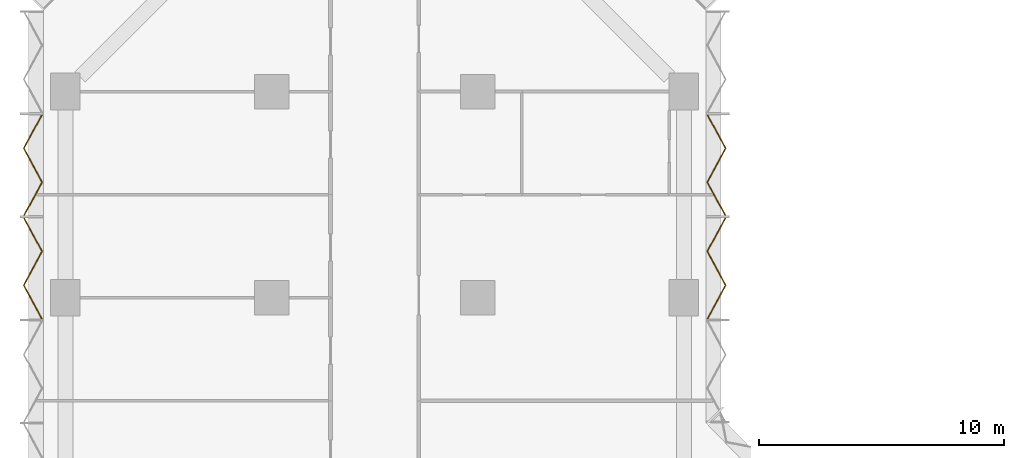
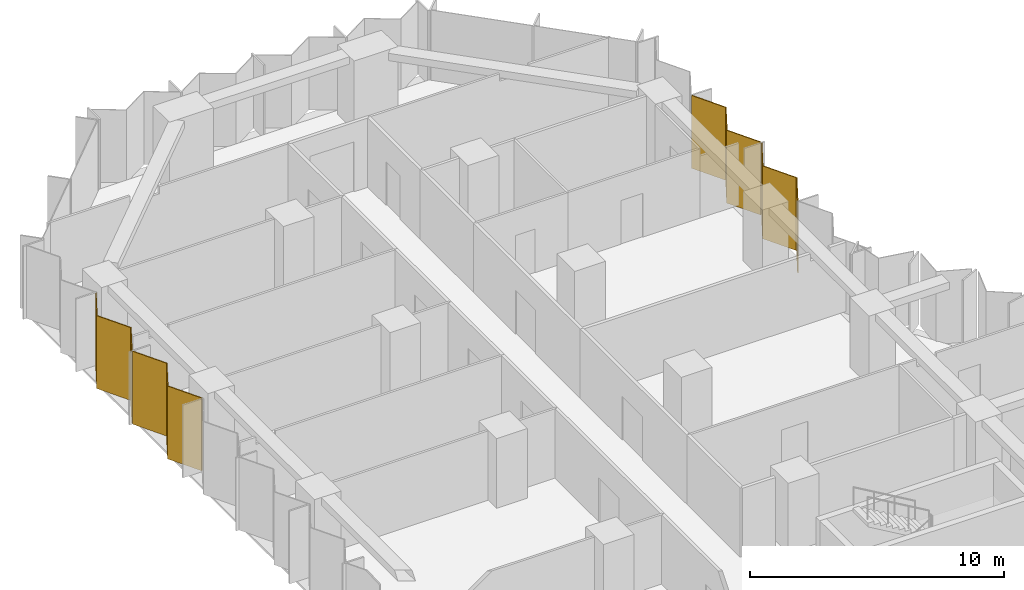
# One storey, part 15 of 15: 4 coverings, 2 elements without a shape of their own.
"""IFC4 building model written with IfcOpenShell, lengths in metres."""

from ifc_helpers import new_model, si_unit, direction, frame, origin, place, context, subcontext, project, spatial, polyline, outline, extrude, material, layer, layer_set, type_object, element, aggregate, save


model = new_model("IFC4")

# Units and contexts
model_context = context("Model", 3, precision=1e-05, world=origin(), true_north=direction((0.0, 1.0)))
body_context = subcontext(model_context, "Body", "Model", "MODEL_VIEW")
ifc_project = project(units=[si_unit("LENGTHUNIT", "METRE"), si_unit("AREAUNIT", "SQUARE_METRE"), si_unit("VOLUMEUNIT", "CUBIC_METRE"), si_unit("PLANEANGLEUNIT", "RADIAN"), si_unit("MASSUNIT", "GRAM", prefix="KILO")], contexts=[model_context])

# Site, building, storey
site_placement = place(None, origin())
site = spatial("IfcSite", under=ifc_project, at=site_placement, CompositionType="ELEMENT")
building_placement = place(site_placement, origin())
building = spatial("IfcBuilding", under=site, at=building_placement, Name="Brevane Broadcast Tower", CompositionType="ELEMENT")
storey_placement = place(building_placement, frame((0.0, 0.0, 72.5)))
storey = spatial("IfcBuildingStorey", under=building, at=storey_placement, Name="L16", CompositionType="ELEMENT", Elevation=72.5)

# Curtain wall, coverings
ifc_material_1 = material(Name="Aluminium 6063-T6 bronze anodised", Category="aluminium")
curtain_wall_type = type_object("IfcCurtainWallType", Name="CW-1 curtain wall", PredefinedType="NOTDEFINED", material=ifc_material_1)
curtain_wall_1_placement = place(storey_placement, origin())
curtain_wall_1 = element("IfcCurtainWall", 1, at=curtain_wall_1_placement, inside=storey, type_object=curtain_wall_type, Name="CW-1 typical tilted unit L16 north arm east face", PredefinedType="NOTDEFINED")
ifc_material_2 = material(Name="Back-painted bronze glass shadow-box", Category="glass")
ifc_layer = layer(ifc_material_2, 0.0400390625)
ifc_layer_set = layer_set([ifc_layer], Name="Shadow-box panel 40")
covering_type = type_object("IfcCoveringType", Name="Shadow-box panel 40", PredefinedType="CLADDING", material=ifc_layer_set)
covering_1_placement = place(storey_placement, frame((0.0, 0.0, -0.14990234375)))
covering_1 = element("IfcCovering", 2, at=covering_1_placement, type_object=covering_type, Name="Shadow-box panel", PredefinedType="CLADDING", context=body_context, shape_type="SweptSolid", body=[
    extrude(outline(polyline([(26.127197265625, 49.534912109375), (26.172607421875, 49.534912109375), (26.9169921875, 50.91162109375), (26.172607421875, 52.288330078125), (26.9169921875, 53.6650390625), (26.87158203125, 53.6650390625), (26.127197265625, 52.288330078125), (26.87158203125, 50.91162109375), (26.127197265625, 49.534912109375)])), origin(), (0.0, 0.0, 1.0), 3.5),
])
covering_2_placement = place(storey_placement, frame((0.0, 0.0, -0.14990234375)))
covering_2 = element("IfcCovering", 3, at=covering_2_placement, type_object=covering_type, Name="Shadow-box panel", PredefinedType="CLADDING", context=body_context, shape_type="SweptSolid", body=[
    extrude(outline(polyline([(26.87158203125, 53.735107421875), (26.9169921875, 53.735107421875), (26.172607421875, 55.11181640625), (26.9169921875, 56.48828125), (26.172607421875, 57.864990234375), (26.127197265625, 57.864990234375), (26.87158203125, 56.48828125), (26.127197265625, 55.11181640625), (26.87158203125, 53.735107421875)])), origin(), (0.0, 0.0, 1.0), 3.5),
])
aggregate(curtain_wall_1, [covering_1, covering_2])

curtain_wall_2_placement = place(storey_placement, origin())
curtain_wall_2 = element("IfcCurtainWall", 4, at=curtain_wall_2_placement, inside=storey, type_object=curtain_wall_type, Name="CW-1 typical tilted unit L16 west face", PredefinedType="NOTDEFINED")
covering_3_placement = place(storey_placement, frame((0.0, 0.0, -0.14990234375)))
covering_3 = element("IfcCovering", 5, at=covering_3_placement, type_object=covering_type, Name="Shadow-box panel", PredefinedType="CLADDING", context=body_context, shape_type="SweptSolid", body=[
    extrude(outline(polyline([(-0.92724609375, 57.864990234375), (-0.97265625, 57.864990234375), (-1.717041015625, 56.48828125), (-0.97265625, 55.11181640625), (-1.717041015625, 53.735107421875), (-1.671630859375, 53.735107421875), (-0.92724609375, 55.11181640625), (-1.671630859375, 56.48828125), (-0.92724609375, 57.864990234375)])), origin(), (0.0, 0.0, 1.0), 3.5),
])
covering_4_placement = place(storey_placement, frame((0.0, 0.0, -0.14990234375)))
covering_4 = element("IfcCovering", 6, at=covering_4_placement, type_object=covering_type, Name="Shadow-box panel", PredefinedType="CLADDING", context=body_context, shape_type="SweptSolid", body=[
    extrude(outline(polyline([(-1.671630859375, 53.6650390625), (-1.717041015625, 53.6650390625), (-0.97265625, 52.288330078125), (-1.717041015625, 50.91162109375), (-0.97265625, 49.534912109375), (-0.92724609375, 49.534912109375), (-1.671630859375, 50.91162109375), (-0.92724609375, 52.288330078125), (-1.671630859375, 53.6650390625)])), origin(), (0.0, 0.0, 1.0), 3.5),
])
aggregate(curtain_wall_2, [covering_3, covering_4])

save(model, "model.ifc")
